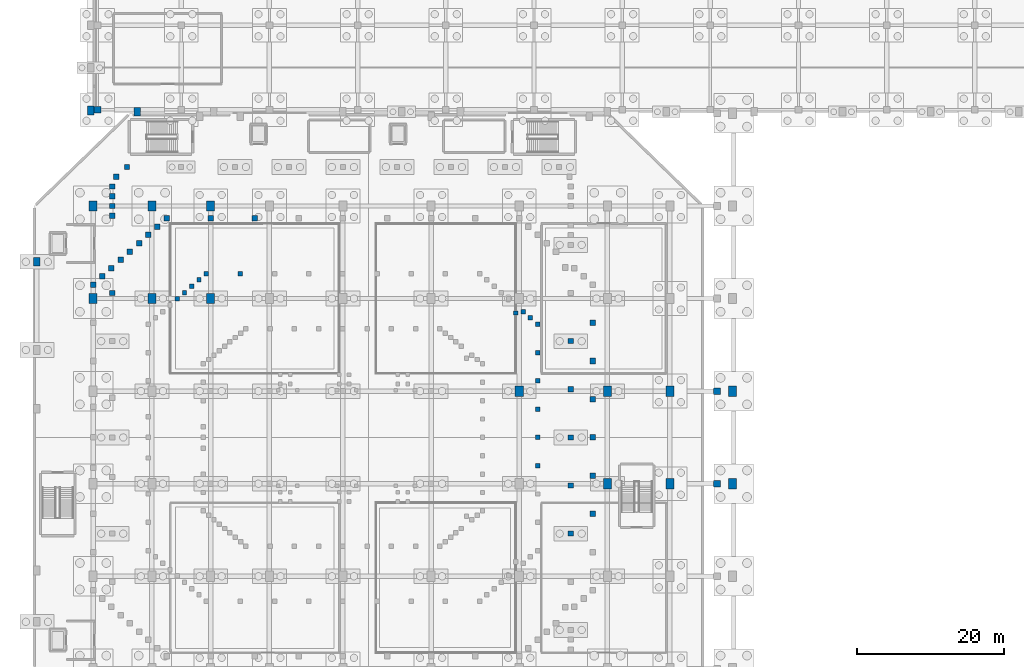
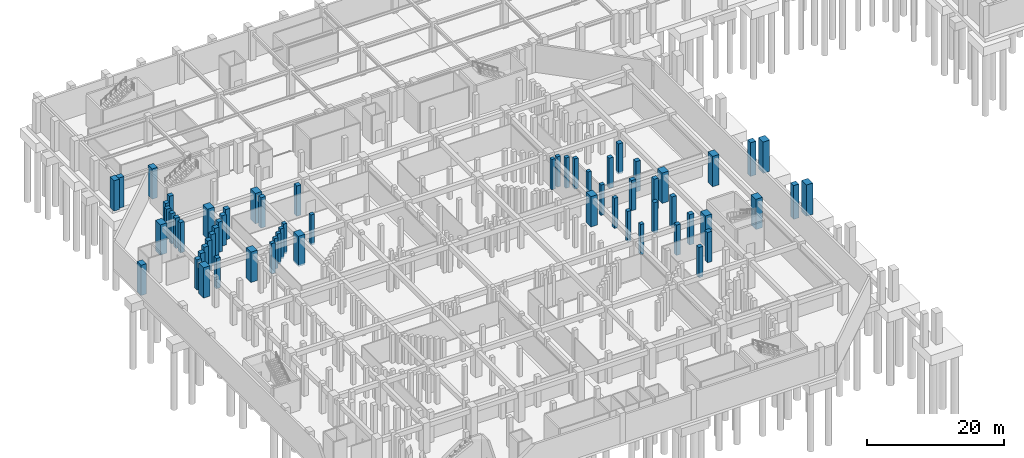
# One storey, part 7 of 27: 63 columns.
"""IFC4 building model written with IfcOpenShell, lengths in metres."""

from ifc_helpers import new_model, si_unit, derived_unit, direction, frame, origin, origin_2d, place, context, subcontext, project, spatial, rectangle, extrude, material, material_profile, profile_set, type_object, element, save


model = new_model("IFC4")

# Units and contexts
model_context = context("Model", 3, precision=1e-05, world=origin(), true_north=direction((0.0, 1.0)))
body_context = subcontext(model_context, "Body", "Model", "MODEL_VIEW")
ifc_project = project(units=[si_unit("LENGTHUNIT", "METRE"), si_unit("AREAUNIT", "SQUARE_METRE"), si_unit("VOLUMEUNIT", "CUBIC_METRE"), si_unit("PLANEANGLEUNIT", "RADIAN"), si_unit("MASSUNIT", "GRAM", prefix="KILO"), derived_unit("THERMALTRANSMITTANCEUNIT", [(si_unit("MASSUNIT", "GRAM", prefix="KILO"), 1), (si_unit("TIMEUNIT", "SECOND"), -3), (si_unit("THERMODYNAMICTEMPERATUREUNIT", "KELVIN"), -1)])], contexts=[model_context])

# Site, building, storey
site_placement = place(None, origin())
site = spatial("IfcSite", under=ifc_project, at=site_placement, CompositionType="ELEMENT")
building_placement = place(site_placement, origin())
building = spatial("IfcBuilding", under=site, at=building_placement, Name="Valcora Ridge Arena", CompositionType="ELEMENT")
storey_placement = place(building_placement, frame((0.0, 0.0, -5.39990234375)))
storey = spatial("IfcBuildingStorey", under=building, at=storey_placement, Name="B1", CompositionType="ELEMENT", Elevation=-5.39990234375)

# Columns
ifc_material_1 = material(Name="Bush-hammered Andean travertine architectural concrete C45/55", Category="masonry")
ifc_material_profile_1 = material_profile(ifc_material_1, rectangle(XDim=0.89990234375, YDim=1.199951171875, at=origin_2d()), Name="RC 900x1200")
ifc_profile_set_1 = profile_set([ifc_material_profile_1], Name="Bush-hammered Andean travertine architectural concrete C45/55")
column_type_1 = type_object("IfcColumnType", Name="TY-COLUMN-C-BUTT-1200", PredefinedType="PILASTER", material=ifc_profile_set_1)
for number, where, z_axis, x_axis, name in (
    (1, (16.35009765625, 88.0, 0.0), (0.0, 0.0, 1.0), (1.0, 0.0, 0.0), "C-BUTT-1200 COL-C-BUTT-1200-0049"),
    (2, (23.679931640625, 108.60009765625, 0.0), (0.0, 0.0, 1.0), (1.0, 0.0, 0.0), "C-BUTT-1200 COL-C-BUTT-1200-0227"),
    (3, (30.0, 108.419921875, 0.0), (0.0, 0.0, 1.0), (1.0, 0.0, 0.0), "C-BUTT-1200 COL-C-BUTT-1200-0327"),
):
    element("IfcColumn", number, at=place(storey_placement, frame(where, z_axis=z_axis, x_axis=x_axis)), inside=storey, type_object=column_type_1, Name=name, PredefinedType="PILASTER", context=body_context, shape_type="SweptSolid", body=[
        extrude(rectangle(XDim=0.89990234375, YDim=1.199951171875, at=origin_2d()), origin(), (0.0, 0.0, 1.0), 5.39990234375),
    ])
ifc_material_2 = material(Name="Concrete C40/50", Category="concrete")
ifc_material_profile_2 = material_profile(ifc_material_2, rectangle(XDim=1.10009765625, YDim=1.39990234375, at=origin_2d()), Name="RC 1100x1400")
ifc_profile_set_2 = profile_set([ifc_material_profile_2], Name="Concrete C40/50")
column_type_2 = type_object("IfcColumnType", Name="TY-COLUMN-C-RC1100", PredefinedType="COLUMN", material=ifc_profile_set_2)
for number, where, z_axis, x_axis, name in (
    (4, (24.0, 83.0, 0.0), (0.0, 0.0, 1.0), (1.0, 0.0, 0.0), "C-RC1100 COL-C-RC1100-0009"),
    (5, (24.0, 95.60009765625, 0.0), (0.0, 0.0, 1.0), (1.0, 0.0, 0.0), "C-RC1100 COL-C-RC1100-0011"),
    (6, (32.0, 83.0, 0.0), (0.0, 0.0, 1.0), (1.0, 0.0, 0.0), "C-RC1100 COL-C-RC1100-0021"),
    (7, (32.0, 95.60009765625, 0.0), (0.0, 0.0, 1.0), (1.0, 0.0, 0.0), "C-RC1100 COL-C-RC1100-0023"),
    (8, (40.0, 83.0, 0.0), (0.0, 0.0, 1.0), (1.0, 0.0, 0.0), "C-RC1100 COL-C-RC1100-0029"),
    (9, (40.0, 95.60009765625, 0.0), (0.0, 0.0, 1.0), (1.0, 0.0, 0.0), "C-RC1100 COL-C-RC1100-0031"),
    (10, (82.0, 70.39990234375, 0.0), (0.0, 0.0, 1.0), (1.0, 0.0, 0.0), "C-RC1100 COL-C-RC1100-0063"),
    (11, (94.0, 57.800048828125, 0.0), (0.0, 0.0, 1.0), (1.0, 0.0, 0.0), "C-RC1100 COL-C-RC1100-0073"),
    (12, (94.0, 70.39990234375, 0.0), (0.0, 0.0, 1.0), (1.0, 0.0, 0.0), "C-RC1100 COL-C-RC1100-0075"),
    (13, (102.5, 57.800048828125, 0.0), (0.0, 0.0, 1.0), (1.0, 0.0, 0.0), "C-RC1100 COL-C-RC1100-0085"),
    (14, (102.5, 70.39990234375, 0.0), (0.0, 0.0, 1.0), (1.0, 0.0, 0.0), "C-RC1100 COL-C-RC1100-0087"),
):
    element("IfcColumn", number, at=place(storey_placement, frame(where, z_axis=z_axis, x_axis=x_axis)), inside=storey, type_object=column_type_2, Name=name, PredefinedType="COLUMN", context=body_context, shape_type="SweptSolid", body=[
        extrude(rectangle(XDim=1.10009765625, YDim=1.39990234375, at=origin_2d()), origin(), (0.0, 0.0, 1.0), 5.39990234375),
    ])
ifc_material_profile_3 = material_profile(ifc_material_2, rectangle(XDim=0.89990234375, YDim=0.89990234375, at=origin_2d()), Name="RC 900x900")
ifc_profile_set_3 = profile_set([ifc_material_profile_3], Name="Concrete C40/50")
column_type_3 = type_object("IfcColumnType", Name="TY-COLUMN-C-RC900B", PredefinedType="COLUMN", material=ifc_profile_set_3)
column_placement = place(storey_placement, frame((24.60009765625, 108.699951171875, 0.0), z_axis=(0.0, 0.0, 1.0), x_axis=(1.0, 0.0, 0.0)))
element("IfcColumn", 15, at=column_placement, inside=storey, type_object=column_type_3, Name="C-RC900B COL-C-RC900B-0001", PredefinedType="COLUMN", context=body_context, shape_type="SweptSolid", body=[
    extrude(rectangle(XDim=0.89990234375, YDim=0.89990234375, at=origin_2d()), origin(), (0.0, 0.0, 1.0), 5.39990234375),
])
ifc_material_profile_4 = material_profile(ifc_material_2, rectangle(XDim=0.60009765625, YDim=0.60009765625, at=origin_2d()), Name="RC 600x600")
ifc_profile_set_4 = profile_set([ifc_material_profile_4], Name="Concrete C40/50")
column_type_4 = type_object("IfcColumnType", Name="TY-COLUMN-C-RKR600", PredefinedType="COLUMN", material=ifc_profile_set_4)
for number, where, z_axis, x_axis, name in (
    (16, (84.5, 60.25, 0.0), (0.0, 0.0, 1.0), (1.0, 0.0, 0.0), "C-RKR600 COL-RK-C-RKR600-0037"),
    (17, (84.5, 64.10009765625, 0.0), (0.0, 0.0, 1.0), (1.0, 0.0, 0.0), "C-RKR600 COL-RK-C-RKR600-0039"),
    (18, (84.5, 67.949951171875, 0.0), (0.0, 0.0, 1.0), (1.0, 0.0, 0.0), "C-RKR600 COL-RK-C-RKR600-0041"),
    (19, (84.5, 71.800048828125, 0.0), (0.0, 0.0, 1.0), (1.0, 0.0, 0.0), "C-RKR600 COL-RK-C-RKR600-0043"),
    (20, (84.5, 75.64990234375, 0.0), (0.0, 0.0, 1.0), (1.0, 0.0, 0.0), "C-RKR600 COL-RK-C-RKR600-0045"),
    (21, (84.5, 79.5, 0.0), (0.0, 0.0, 1.0), (1.0, 0.0, 0.0), "C-RKR600 COL-RK-C-RKR600-0047"),
    (22, (83.512451171875, 80.362548828125, 0.0), (0.0, 0.0, 1.0), (1.0, 0.0, 0.0), "C-RKR600 COL-RK-C-RKR600-0049"),
    (23, (82.52490234375, 81.22509765625, 0.0), (0.0, 0.0, 1.0), (1.0, 0.0, 0.0), "C-RKR600 COL-RK-C-RKR600-0051"),
    (24, (44.050048828125, 86.39990234375, 0.0), (0.0, 0.0, 1.0), (1.0, 0.0, 0.0), "C-RKR600 COL-RK-C-RKR600-0075"),
    (25, (39.39990234375, 86.39990234375, 0.0), (0.0, 0.0, 1.0), (1.0, 0.0, 0.0), "C-RKR600 COL-RK-C-RKR600-0077"),
    (26, (38.41259765625, 85.53759765625, 0.0), (0.0, 0.0, 1.0), (1.0, 0.0, 0.0), "C-RKR600 COL-RK-C-RKR600-0079"),
    (27, (37.425048828125, 84.675048828125, 0.0), (0.0, 0.0, 1.0), (1.0, 0.0, 0.0), "C-RKR600 COL-RK-C-RKR600-0081"),
    (28, (36.4375, 83.8125, 0.0), (0.0, 0.0, 1.0), (1.0, 0.0, 0.0), "C-RKR600 COL-RK-C-RKR600-0083"),
    (29, (35.449951171875, 82.949951171875, 0.0), (0.0, 0.0, 1.0), (1.0, 0.0, 0.0), "C-RKR600 COL-RK-C-RKR600-0085"),
    (30, (81.53759765625, 81.03759765625, 0.0), (0.0, 0.0, 1.0), (1.0, 0.0, 0.0), "C-RKR600 COL-RKN-C-RKR600-0003"),
):
    element("IfcColumn", number, at=place(storey_placement, frame(where, z_axis=z_axis, x_axis=x_axis)), inside=storey, type_object=column_type_4, Name=name, PredefinedType="COLUMN", context=body_context, shape_type="SweptSolid", body=[
        extrude(rectangle(XDim=0.60009765625, YDim=0.60009765625, at=origin_2d()), origin(), (0.0, 0.0, 1.0), 5.39990234375),
    ])
ifc_material_profile_5 = material_profile(ifc_material_2, rectangle(XDim=0.75, YDim=0.75, at=origin_2d()), Name="RC 750x750")
ifc_profile_set_5 = profile_set([ifc_material_profile_5], Name="Concrete C40/50")
column_type_5 = type_object("IfcColumnType", Name="TY-COLUMN-C-RKR750", PredefinedType="COLUMN", material=ifc_profile_set_5)
for number, where, z_axis, x_axis, name in (
    (31, (92.0, 53.699951171875, 0.0), (0.0, 0.0, 1.0), (1.0, 0.0, 0.0), "C-RKR750 COL-RK-C-RKR750-0035"),
    (32, (92.0, 58.89990234375, 0.0), (0.0, 0.0, 1.0), (1.0, 0.0, 0.0), "C-RKR750 COL-RK-C-RKR750-0037"),
    (33, (92.0, 64.10009765625, 0.0), (0.0, 0.0, 1.0), (1.0, 0.0, 0.0), "C-RKR750 COL-RK-C-RKR750-0039"),
    (34, (92.0, 69.300048828125, 0.0), (0.0, 0.0, 1.0), (1.0, 0.0, 0.0), "C-RKR750 COL-RK-C-RKR750-0041"),
    (35, (92.0, 74.5, 0.0), (0.0, 0.0, 1.0), (1.0, 0.0, 0.0), "C-RKR750 COL-RK-C-RKR750-0043"),
    (36, (92.0, 79.699951171875, 0.0), (0.0, 0.0, 1.0), (1.0, 0.0, 0.0), "C-RKR750 COL-RK-C-RKR750-0045"),
    (37, (46.0, 93.89990234375, 0.0), (0.0, 0.0, 1.0), (1.0, 0.0, 0.0), "C-RKR750 COL-RK-C-RKR750-0073"),
    (38, (40.0, 93.89990234375, 0.0), (0.0, 0.0, 1.0), (1.0, 0.0, 0.0), "C-RKR750 COL-RK-C-RKR750-0075"),
    (39, (34.0, 93.89990234375, 0.0), (0.0, 0.0, 1.0), (1.0, 0.0, 0.0), "C-RKR750 COL-RK-C-RKR750-0077"),
    (40, (32.75, 92.77490234375, 0.0), (0.0, 0.0, 1.0), (1.0, 0.0, 0.0), "C-RKR750 COL-RK-C-RKR750-0079"),
    (41, (31.5, 91.64990234375, 0.0), (0.0, 0.0, 1.0), (1.0, 0.0, 0.0), "C-RKR750 COL-RK-C-RKR750-0081"),
    (42, (30.25, 90.52490234375, 0.0), (0.0, 0.0, 1.0), (1.0, 0.0, 0.0), "C-RKR750 COL-RK-C-RKR750-0083"),
    (43, (29.0, 89.39990234375, 0.0), (0.0, 0.0, 1.0), (1.0, 0.0, 0.0), "C-RKR750 COL-RK-C-RKR750-0085"),
    (44, (27.75, 88.27490234375, 0.0), (0.0, 0.0, 1.0), (1.0, 0.0, 0.0), "C-RKR750 COL-RK-C-RKR750-0087"),
    (45, (26.5, 87.14990234375, 0.0), (0.0, 0.0, 1.0), (1.0, 0.0, 0.0), "C-RKR750 COL-RK-C-RKR750-0089"),
    (46, (25.25, 86.02490234375, 0.0), (0.0, 0.0, 1.0), (1.0, 0.0, 0.0), "C-RKR750 COL-RK-C-RKR750-0091"),
    (47, (24.0, 84.89990234375, 0.0), (0.0, 0.0, 1.0), (1.0, 0.0, 0.0), "C-RKR750 COL-RK-C-RKR750-0093"),
):
    element("IfcColumn", number, at=place(storey_placement, frame(where, z_axis=z_axis, x_axis=x_axis)), inside=storey, type_object=column_type_5, Name=name, PredefinedType="COLUMN", context=body_context, shape_type="SweptSolid", body=[
        extrude(rectangle(XDim=0.75, YDim=0.75, at=origin_2d()), origin(), (0.0, 0.0, 1.0), 5.39990234375),
    ])
ifc_material_profile_6 = material_profile(ifc_material_2, rectangle(XDim=0.699951171875, YDim=0.699951171875, at=origin_2d()), Name="RC 700x700")
ifc_profile_set_6 = profile_set([ifc_material_profile_6], Name="Concrete C40/50")
column_type_6 = type_object("IfcColumnType", Name="TY-COLUMN-C-RKRU700B", PredefinedType="COLUMN", material=ifc_profile_set_6)
for number, where, z_axis, x_axis, name in (
    (48, (89.0, 51.0, 0.0), (0.0, 0.0, 1.0), (1.0, 0.0, 0.0), "C-RKRU700B COL-RK-C-RKRU700B-0086"),
    (49, (89.0, 57.550048828125, 0.0), (0.0, 0.0, 1.0), (1.0, 0.0, 0.0), "C-RKRU700B COL-RK-C-RKRU700B-0091"),
    (50, (89.0, 64.10009765625, 0.0), (0.0, 0.0, 1.0), (1.0, 0.0, 0.0), "C-RKRU700B COL-RK-C-RKRU700B-0096"),
    (51, (89.0, 70.64990234375, 0.0), (0.0, 0.0, 1.0), (1.0, 0.0, 0.0), "C-RKRU700B COL-RK-C-RKRU700B-0101"),
    (52, (89.0, 77.199951171875, 0.0), (0.0, 0.0, 1.0), (1.0, 0.0, 0.0), "C-RKRU700B COL-RK-C-RKRU700B-0106"),
    (53, (28.60009765625, 100.89990234375, 0.0), (0.0, 0.0, 1.0), (1.0, 0.0, 0.0), "C-RKRU700B COL-RK-C-RKRU700B-0191"),
    (54, (27.14990234375, 99.574951171875, 0.0), (0.0, 0.0, 1.0), (1.0, 0.0, 0.0), "C-RKRU700B COL-RK-C-RKRU700B-0196"),
    (55, (26.60009765625, 98.25, 0.0), (0.0, 0.0, 1.0), (1.0, 0.0, 0.0), "C-RKRU700B COL-RK-C-RKRU700B-0201"),
    (56, (26.60009765625, 96.925048828125, 0.0), (0.0, 0.0, 1.0), (1.0, 0.0, 0.0), "C-RKRU700B COL-RK-C-RKRU700B-0206"),
    (57, (26.60009765625, 95.60009765625, 0.0), (0.0, 0.0, 1.0), (1.0, 0.0, 0.0), "C-RKRU700B COL-RK-C-RKRU700B-0211"),
    (58, (26.60009765625, 94.27490234375, 0.0), (0.0, 0.0, 1.0), (1.0, 0.0, 0.0), "C-RKRU700B COL-RK-C-RKRU700B-0216"),
    (59, (26.60009765625, 83.75, 0.0), (0.0, 0.0, 1.0), (1.0, 0.0, 0.0), "C-RKRU700B COL-RK-C-RKRU700B-0221"),
):
    element("IfcColumn", number, at=place(storey_placement, frame(where, z_axis=z_axis, x_axis=x_axis)), inside=storey, type_object=column_type_6, Name=name, PredefinedType="COLUMN", context=body_context, shape_type="SweptSolid", body=[
        extrude(rectangle(XDim=0.699951171875, YDim=0.699951171875, at=origin_2d()), origin(), (0.0, 0.0, 1.0), 5.39990234375),
    ])
ifc_material_3 = material(Name="Concrete C45/55", Category="concrete")
ifc_material_profile_7 = material_profile(ifc_material_3, rectangle(XDim=0.89990234375, YDim=0.89990234375, at=origin_2d()), Name="RC 900x900")
ifc_profile_set_7 = profile_set([ifc_material_profile_7], Name="Concrete C45/55")
column_type_7 = type_object("IfcColumnType", Name="TY-COLUMN-C-SHOE-900", PredefinedType="COLUMN", material=ifc_profile_set_7)
for number, where, z_axis, x_axis, name in (
    (60, (108.909912109375, 57.800048828125, -0.60009765625), (0.0, 0.0, 1.0), (1.0, 0.0, 0.0), "C-SHOE-900 COL-SH-C-SHOE-900-0007"),
    (61, (108.909912109375, 70.39990234375, -0.60009765625), (0.0, 0.0, 1.0), (1.0, 0.0, 0.0), "C-SHOE-900 COL-SH-C-SHOE-900-0009"),
):
    element("IfcColumn", number, at=place(storey_placement, frame(where, z_axis=z_axis, x_axis=x_axis)), inside=storey, type_object=column_type_7, Name=name, PredefinedType="COLUMN", context=body_context, shape_type="SweptSolid", body=[
        extrude(rectangle(XDim=0.89990234375, YDim=0.89990234375, at=origin_2d()), origin(), (0.0, 0.0, 1.0), 6.0),
    ])
ifc_material_profile_8 = material_profile(ifc_material_3, rectangle(XDim=1.10009765625, YDim=1.39990234375, at=origin_2d()), Name="RC 1100x1400")
ifc_profile_set_8 = profile_set([ifc_material_profile_8], Name="Concrete C45/55")
column_type_8 = type_object("IfcColumnType", Name="TY-COLUMN-MC-BASE1400", PredefinedType="COLUMN", material=ifc_profile_set_8)
for number, where, z_axis, x_axis, name in (
    (62, (111.009521484375, 57.800048828125, -0.60009765625), (0.0, 0.0, 1.0), (1.0, 0.0, 0.0), "Flying-Buttress Mega Column MC-BASE1400"),
    (63, (111.009521484375, 70.39990234375, -0.60009765625), (0.0, 0.0, 1.0), (1.0, 0.0, 0.0), "Flying-Buttress Mega Column MC-BASE1400"),
):
    element("IfcColumn", number, at=place(storey_placement, frame(where, z_axis=z_axis, x_axis=x_axis)), inside=storey, type_object=column_type_8, Name=name, PredefinedType="COLUMN", context=body_context, shape_type="SweptSolid", body=[
        extrude(rectangle(XDim=1.10009765625, YDim=1.39990234375, at=origin_2d()), origin(), (0.0, 0.0, 1.0), 5.56005859375),
    ])

save(model, "model.ifc")
